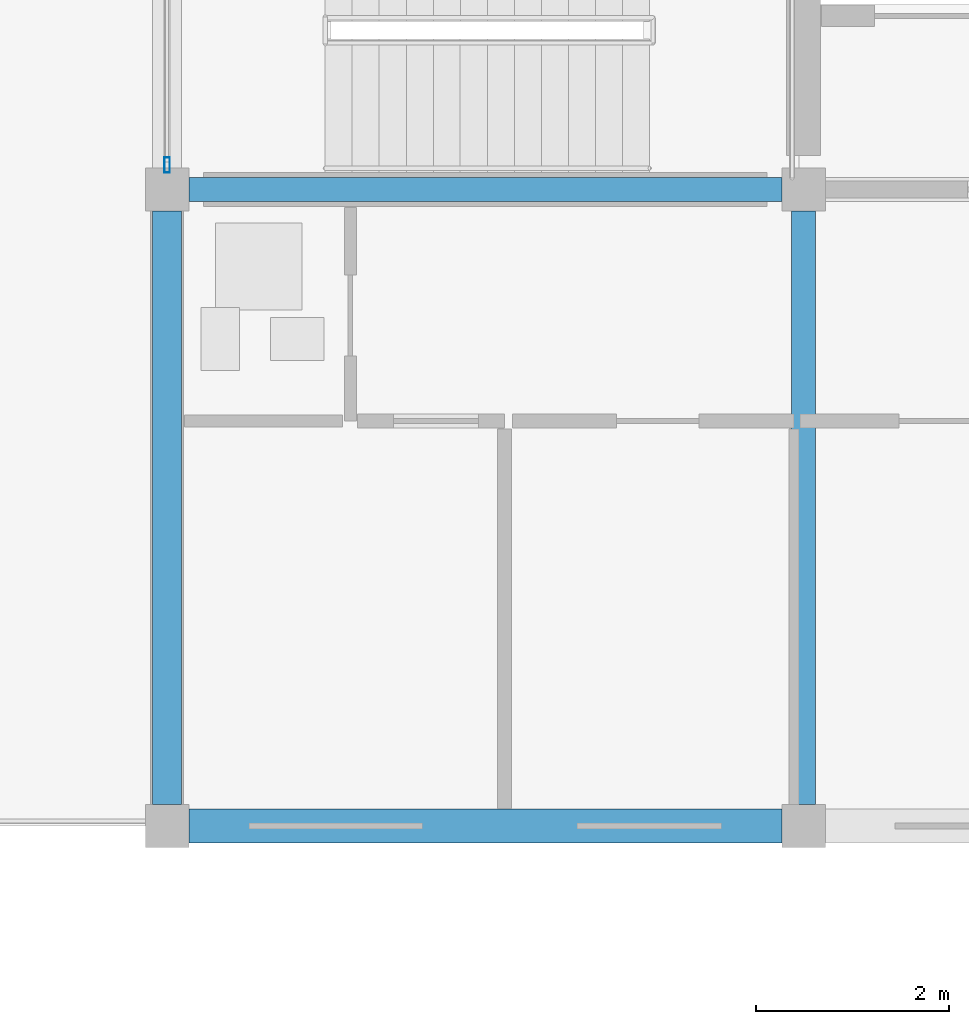
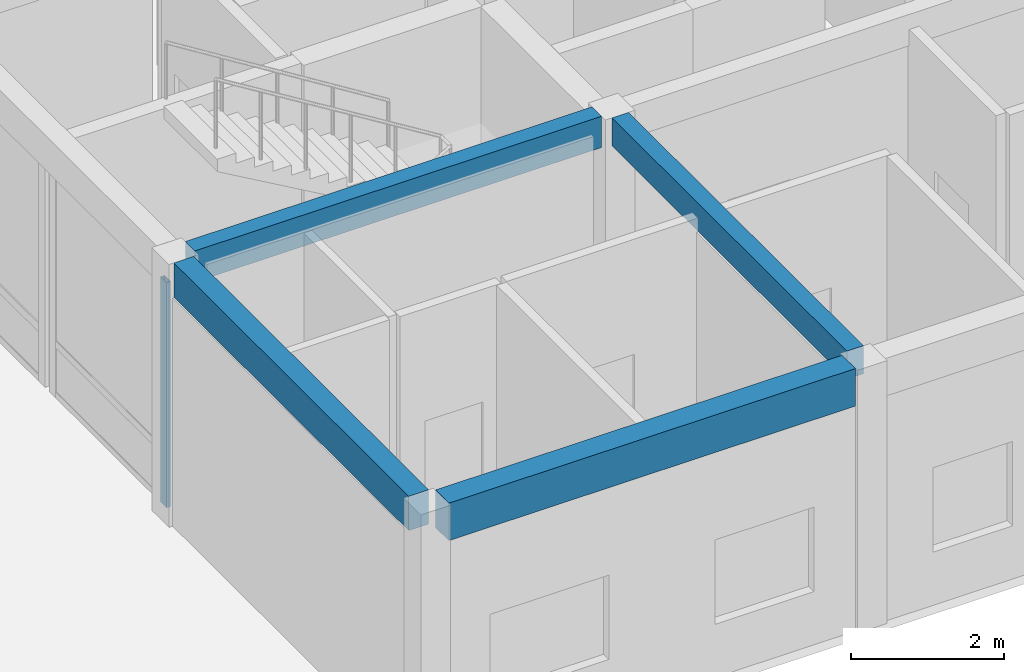
# One storey, part 11 of 92: 4 beams, 1 member, 1 element without a shape of its own.
"""IFC4 building model written with IfcOpenShell, lengths in metres."""

from ifc_helpers import new_model, si_unit, direction, frame, origin, origin_2d, place, context, subcontext, project, spatial, rectangle, hollow_rectangle, extrude, material, material_profile, profile_set, type_object, element, aggregate, save


model = new_model("IFC4")

# Units and contexts
model_context = context("Model", 3, precision=1e-05, world=origin(), true_north=direction((0.0, 1.0)))
body_context = subcontext(model_context, "Body", "Model", "MODEL_VIEW")
ifc_project = project(units=[si_unit("LENGTHUNIT", "METRE"), si_unit("AREAUNIT", "SQUARE_METRE"), si_unit("VOLUMEUNIT", "CUBIC_METRE"), si_unit("PLANEANGLEUNIT", "RADIAN"), si_unit("MASSUNIT", "GRAM", prefix="KILO")], contexts=[model_context])

# Site, building, storey
site_placement = place(None, origin())
site = spatial("IfcSite", under=ifc_project, at=site_placement, CompositionType="ELEMENT")
building_placement = place(site_placement, origin())
building = spatial("IfcBuilding", under=site, at=building_placement, Name="Kernevlak Ridge Housing Community", CompositionType="ELEMENT")
storey_placement = place(building_placement, frame((0.0, 0.0, 4.199951171875)))
storey = spatial("IfcBuildingStorey", under=building, at=storey_placement, Name="L01", CompositionType="ELEMENT", Elevation=4.199951171875)

# Beams
ifc_material_1 = material(Name="Concrete C35/45", Category="concrete")
ifc_material_profile_1 = material_profile(ifc_material_1, rectangle(XDim=0.25, YDim=0.449951171875, at=origin_2d()), Name="RC 250x450")
ifc_profile_set_1 = profile_set([ifc_material_profile_1], Name="Concrete C35/45")
beam_type_1 = type_object("IfcBeamType", Name="B-04", PredefinedType="T_BEAM", material=ifc_profile_set_1)
beam_1_placement = place(storey_placement, frame((22.199951171875, 15.824951171875, 3.97509765625), z_axis=(0.0, 1.0, 0.0), x_axis=(-1.0, 0.0, 0.0)))
element("IfcBeam", 1, at=beam_1_placement, inside=storey, type_object=beam_type_1, Name="Beam B-04 L01 1356", PredefinedType="T_BEAM", context=body_context, shape_type="SweptSolid", body=[
    extrude(rectangle(XDim=0.25, YDim=0.449951171875, at=origin_2d()), origin(), (0.0, 0.0, 1.0), 6.150146484375),
])
ifc_material_profile_2 = material_profile(ifc_material_1, rectangle(XDim=0.25, YDim=0.5, at=origin_2d()), Name="RC 250x500")
ifc_profile_set_2 = profile_set([ifc_material_profile_2], Name="Concrete C35/45")
beam_type_2 = type_object("IfcBeamType", Name="B-06", PredefinedType="T_BEAM", material=ifc_profile_set_2)
beam_2_placement = place(storey_placement, frame((15.824951171875, 22.199951171875, 3.949951171875), z_axis=(1.0, 0.0, 0.0), x_axis=(0.0, 1.0, 0.0)))
element("IfcBeam", 2, at=beam_2_placement, inside=storey, type_object=beam_type_2, Name="Beam B-06 L01 1341", PredefinedType="T_BEAM", context=body_context, shape_type="SweptSolid", body=[
    extrude(rectangle(XDim=0.25, YDim=0.5, at=origin_2d()), origin(), (0.0, 0.0, 1.0), 6.150146484375),
])

# Curtain wall, member
ifc_material_2 = material(Name="Aluminium EN AW-6060 anodised and laminated glass", Category="aluminium")
curtain_wall_type = type_object("IfcCurtainWallType", Name="CW-11", PredefinedType="NOTDEFINED", material=ifc_material_2)
curtain_wall_placement = place(storey_placement, origin())
curtain_wall = element("IfcCurtainWall", 3, at=curtain_wall_placement, inside=storey, type_object=curtain_wall_type, Name="Curtain wall CW-11 CW-L01-142", PredefinedType="NOTDEFINED")
ifc_material_3 = material(Name="Aluminium EN AW-6060 anodised", Category="aluminium")
ifc_material_profile_3 = material_profile(ifc_material_3, hollow_rectangle(XDim=0.06005859375, YDim=0.159912109375, WallThickness=0.00390625, InnerFilletRadius=0.001953125, OuterFilletRadius=0.00390625, at=origin_2d()), Name="ALU 60x160x4")
ifc_profile_set_3 = profile_set([ifc_material_profile_3], Name="Aluminium EN AW-6060 anodised")
member_type = type_object("IfcMemberType", Name="MU-02", PredefinedType="MULLION", material=ifc_profile_set_3)
member_placement = place(storey_placement, frame((15.60009765625, 22.455078125, 0.0), z_axis=(0.0, 0.0, 1.0), x_axis=(-1.0, 0.0, 0.0)))
member = element("IfcMember", 4, at=member_placement, type_object=member_type, Name="CW-11 mullion 1", PredefinedType="MULLION", context=body_context, shape_type="SweptSolid", body=[
    extrude(hollow_rectangle(XDim=0.06005859375, YDim=0.159912109375, WallThickness=0.00390625, InnerFilletRadius=0.001953125, OuterFilletRadius=0.00390625, at=origin_2d()), origin(), (0.0, 0.0, 1.0), 3.60009765625),
])
aggregate(curtain_wall, [member])

# Beams
ifc_material_profile_4 = material_profile(ifc_material_1, rectangle(XDim=0.300048828125, YDim=0.550048828125, at=origin_2d()), Name="RC 300x550")
ifc_profile_set_4 = profile_set([ifc_material_profile_4], Name="Concrete C35/45")
beam_type_3 = type_object("IfcBeamType", Name="SP-01", PredefinedType="SPANDREL", material=ifc_profile_set_4)
beam_3_placement = place(storey_placement, frame((15.60009765625, 15.824951171875, 3.925048828125), z_axis=(0.0, 1.0, 0.0), x_axis=(-1.0, 0.0, 0.0)))
element("IfcBeam", 5, at=beam_3_placement, inside=storey, type_object=beam_type_3, Name="Beam SP-01 L01 1353", PredefinedType="SPANDREL", context=body_context, shape_type="SweptSolid", body=[
    extrude(rectangle(XDim=0.300048828125, YDim=0.550048828125, at=origin_2d()), origin(), (0.0, 0.0, 1.0), 6.150146484375),
])
ifc_material_profile_5 = material_profile(ifc_material_1, rectangle(XDim=0.35009765625, YDim=0.60009765625, at=origin_2d()), Name="RC 350x600")
ifc_profile_set_5 = profile_set([ifc_material_profile_5], Name="Concrete C35/45")
beam_type_4 = type_object("IfcBeamType", Name="SP-03", PredefinedType="SPANDREL", material=ifc_profile_set_5)
beam_4_placement = place(storey_placement, frame((15.824951171875, 15.60009765625, 3.900146484375), z_axis=(1.0, 0.0, 0.0), x_axis=(0.0, 1.0, 0.0)))
element("IfcBeam", 6, at=beam_4_placement, inside=storey, type_object=beam_type_4, Name="Beam SP-03 L01 1337", PredefinedType="SPANDREL", context=body_context, shape_type="SweptSolid", body=[
    extrude(rectangle(XDim=0.35009765625, YDim=0.60009765625, at=origin_2d()), origin(), (0.0, 0.0, 1.0), 6.150146484375),
])

save(model, "model.ifc")
